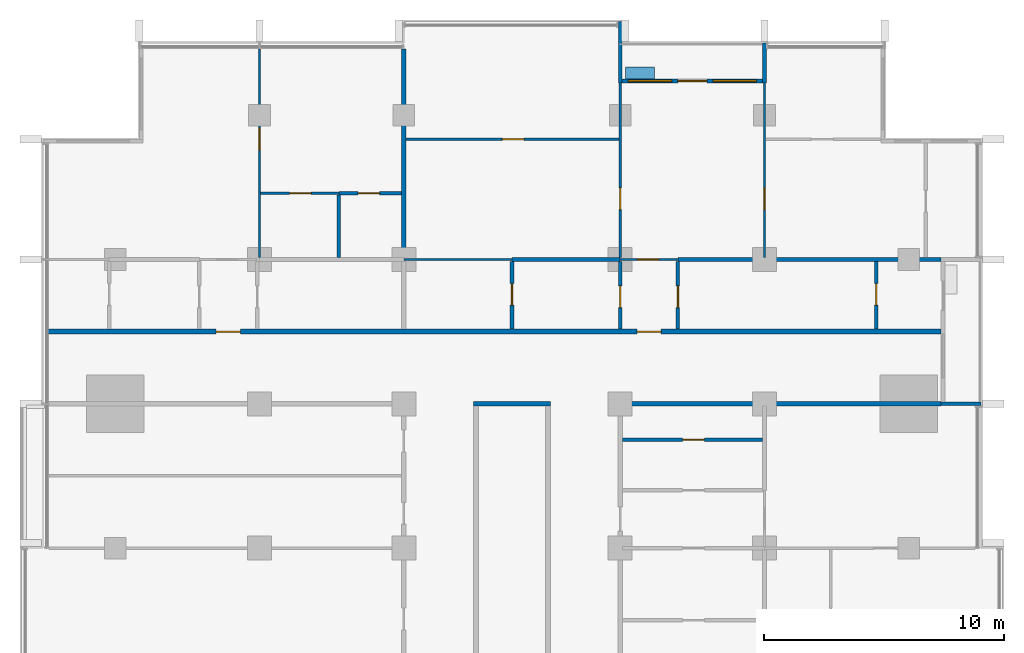
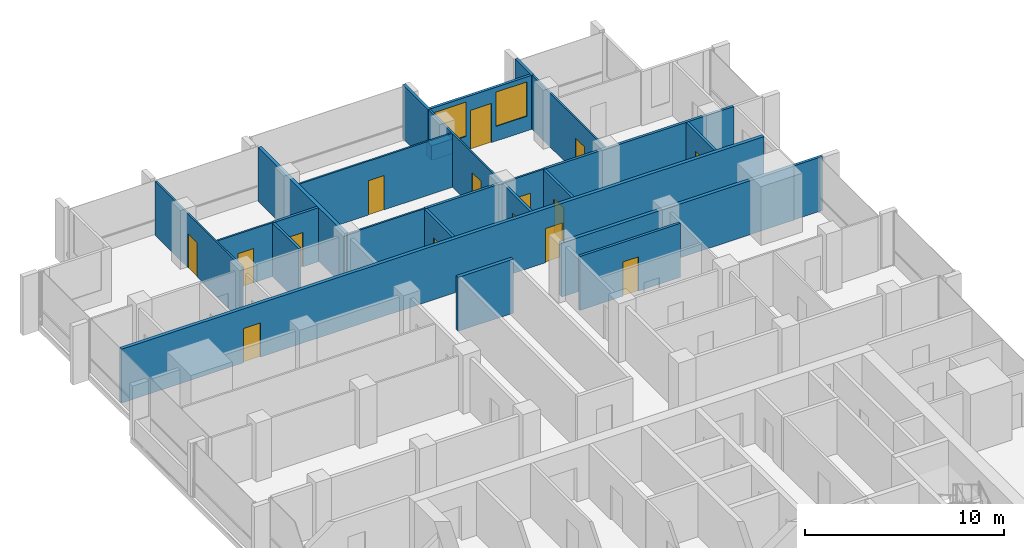
# One storey, part 10 of 16: 25 walls, 15 doors, 2 windows, 17 openings.
"""IFC4 building model written with IfcOpenShell, lengths in metres."""

from ifc_helpers import new_model, si_unit, direction, frame, frame_2d, origin, place, context, subcontext, project, spatial, rectangle, extrude, material, layer, layer_set, type_object, element, fill, save


model = new_model("IFC4")

# Units and contexts
model_context = context("Model", 3, precision=1e-05, world=origin(), true_north=direction((0.0, 1.0)))
body_context = subcontext(model_context, "Body", "Model", "MODEL_VIEW")
ifc_project = project(units=[si_unit("LENGTHUNIT", "METRE"), si_unit("AREAUNIT", "SQUARE_METRE"), si_unit("VOLUMEUNIT", "CUBIC_METRE"), si_unit("PLANEANGLEUNIT", "RADIAN"), si_unit("MASSUNIT", "GRAM", prefix="KILO")], contexts=[model_context])

# Site, building, storey
site_placement = place(None, origin())
site = spatial("IfcSite", under=ifc_project, at=site_placement, CompositionType="ELEMENT")
building_placement = place(site_placement, origin())
building = spatial("IfcBuilding", under=site, at=building_placement, Name="Finial Court Residences", CompositionType="ELEMENT")
storey_placement = place(building_placement, frame((0.0, 0.0, 156.5)))
storey = spatial("IfcBuildingStorey", under=building, at=storey_placement, Name="L38", CompositionType="ELEMENT", Elevation=156.5)

# Walls
ifc_material_1 = material(Name="Gypsum board")
ifc_layer_1 = layer(ifc_material_1, 0.02490234375)
ifc_material_2 = material(Name="Acoustic mineral wool in double frame")
ifc_layer_2 = layer(ifc_material_2, 0.14990234375)
ifc_layer_3 = layer(ifc_material_1, 0.02490234375)
ifc_layer_set_1 = layer_set([ifc_layer_1, ifc_layer_2, ifc_layer_3], Name="Acoustic party wall 200, 1 hour")
wall_type_1 = type_object("IfcWallType", Name="Acoustic party wall 200, 1 hour", PredefinedType="PARTITIONING", material=ifc_layer_set_1)
wall_1_placement = place(storey_placement, frame((-4.5, 13.574951171875, 0.0), z_axis=(0.0, 0.0, 1.0), x_axis=(0.0, 1.0, 0.0)))
element("IfcWall", 1, at=wall_1_placement, inside=storey, type_object=wall_type_1, Name="Partition L38-040", PredefinedType="PARTITIONING", context=body_context, shape_type="SweptSolid", body=[
    extrude(rectangle(XDim=8.6875, YDim=0.199951171875, at=frame_2d((4.34375, 0.0))), origin(), (0.0, 0.0, 1.0), 3.300048828125),
])
ifc_layer_4 = layer(ifc_material_1, 0.02490234375)
ifc_layer_5 = layer(ifc_material_2, 0.14990234375)
ifc_layer_6 = layer(ifc_material_1, 0.02490234375)
ifc_layer_set_2 = layer_set([ifc_layer_4, ifc_layer_5, ifc_layer_6], Name="Corridor wall 200, 1 hour")
wall_type_2 = type_object("IfcWallType", Name="Corridor wall 200, 1 hour", PredefinedType="PARTITIONING", material=ifc_layer_set_2)
wall_2_placement = place(storey_placement, frame((-1.60009765625, 7.5, 0.0), z_axis=(0.0, 0.0, 1.0), x_axis=(1.0, 0.0, 0.0)))
element("IfcWall", 2, at=wall_2_placement, inside=storey, type_object=wall_type_2, Name="Partition L38-017", PredefinedType="PARTITIONING", context=body_context, shape_type="SweptSolid", body=[
    extrude(rectangle(XDim=3.2001953125, YDim=0.199951171875, at=frame_2d((1.60009765625, 0.0))), origin(), (0.0, 0.0, 1.0), 3.300048828125),
])
wall_3_placement = place(storey_placement, frame((4.39990234375, 7.5, 0.0), z_axis=(0.0, 0.0, 1.0), x_axis=(1.0, 0.0, 0.0)))
element("IfcWall", 3, at=wall_3_placement, inside=storey, type_object=wall_type_2, Name="Partition L38-018", PredefinedType="PARTITIONING", context=body_context, shape_type="SweptSolid", body=[
    extrude(rectangle(XDim=13.4501953125, YDim=0.199951171875, at=frame_2d((6.72509765625, 0.0))), origin(), (0.0, 0.0, 1.0), 3.300048828125),
])

# Wall, openings, doors
wall_4_placement = place(storey_placement, frame((-19.35009765625, 10.5, 0.0), z_axis=(0.0, 0.0, 1.0), x_axis=(1.0, 0.0, 0.0)))
wall_4 = element("IfcWall", 4, at=wall_4_placement, inside=storey, type_object=wall_type_2, Name="Partition L38-019", PredefinedType="PARTITIONING", context=body_context, shape_type="SweptSolid", body=[
    extrude(rectangle(XDim=37.2001953125, YDim=0.199951171875, at=frame_2d((18.60009765625, 0.0))), origin(), (0.0, 0.0, 1.0), 3.300048828125),
])
opening_1_placement = place(wall_4_placement, frame((7.050048828125, 0.0, 0.0)))
opening_1 = element("IfcOpeningElement", 5, at=opening_1_placement, cuts=wall_4, Name="Opening L38-D015", PredefinedType="OPENING", context=body_context, shape_type="SweptSolid", body=[
    extrude(rectangle(XDim=1.0, YDim=2.10009765625, at=frame_2d((0.5, 1.050048828125))), frame((0.0, 0.10986328125, 0.0), z_axis=(0.0, -1.0, 0.0), x_axis=(1.0, 0.0, 0.0)), (0.0, 0.0, 1.0), 0.219970703125),
])
opening_2_placement = place(wall_4_placement, frame((24.550048828125, 0.0, 0.0)))
opening_2 = element("IfcOpeningElement", 6, at=opening_2_placement, cuts=wall_4, Name="Opening L38-D016", PredefinedType="OPENING", context=body_context, shape_type="SweptSolid", body=[
    extrude(rectangle(XDim=1.0, YDim=2.10009765625, at=frame_2d((0.5, 1.050048828125))), frame((0.0, 0.10986328125, 0.0), z_axis=(0.0, -1.0, 0.0), x_axis=(1.0, 0.0, 0.0)), (0.0, 0.0, 1.0), 0.219970703125),
])
ifc_material_3 = material(Name="Timber door leaf in hollow metal frame", Category="wood")
door_type_1 = type_object("IfcDoorType", Name="Fire door set 1000 x 2100, 30 minutes", OperationType="SINGLE_SWING_LEFT", PredefinedType="DOOR", material=ifc_material_3)
door_1_placement = place(opening_1_placement, origin())
door_1 = element("IfcDoor", 7, at=door_1_placement, inside=storey, type_object=door_type_1, Name="Door L38-D015", OperationType="SINGLE_SWING_RIGHT", OverallHeight=2.10009765625, OverallWidth=1.0, PredefinedType="DOOR", context=body_context, shape_type="SweptSolid", body=[
    extrude(rectangle(XDim=1.0, YDim=2.10009765625, at=frame_2d((0.5, 1.050048828125))), frame((0.0, 0.02490234375, 0.0), z_axis=(0.0, -1.0, 0.0), x_axis=(1.0, 0.0, 0.0)), (0.0, 0.0, 1.0), 0.050048828125),
])
fill(opening_1, door_1)
door_2_placement = place(opening_2_placement, origin())
door_2 = element("IfcDoor", 8, at=door_2_placement, inside=storey, type_object=door_type_1, Name="Door L38-D016", OperationType="SINGLE_SWING_LEFT", OverallHeight=2.10009765625, OverallWidth=1.0, PredefinedType="DOOR", context=body_context, shape_type="SweptSolid", body=[
    extrude(rectangle(XDim=1.0, YDim=2.10009765625, at=frame_2d((0.5, 1.050048828125))), frame((0.0, 0.02490234375, 0.0), z_axis=(0.0, -1.0, 0.0), x_axis=(1.0, 0.0, 0.0)), (0.0, 0.0, 1.0), 0.050048828125),
])
fill(opening_2, door_2)

# Wall
ifc_layer_7 = layer(ifc_material_1, 0.012451171875)
ifc_material_4 = material(Name="Mineral wool in light-gauge frame")
ifc_layer_8 = layer(ifc_material_4, 0.074951171875)
ifc_layer_9 = layer(ifc_material_1, 0.012451171875)
ifc_layer_set_3 = layer_set([ifc_layer_7, ifc_layer_8, ifc_layer_9], Name="Gypsum board partition 100")
wall_type_3 = type_object("IfcWallType", Name="Gypsum board partition 100", PredefinedType="PARTITIONING", material=ifc_layer_set_3)
wall_5_placement = place(storey_placement, frame((-4.5, 13.5, 0.0), z_axis=(0.0, 0.0, 1.0), x_axis=(1.0, 0.0, 0.0)))
element("IfcWall", 9, at=wall_5_placement, inside=storey, type_object=wall_type_3, Name="Partition L38-022", PredefinedType="PARTITIONING", context=body_context, shape_type="SweptSolid", body=[
    extrude(rectangle(XDim=4.5, YDim=0.10009765625, at=frame_2d((2.25, 0.0))), origin(), (0.0, 0.0, 1.0), 3.300048828125),
])

# Wall, opening, door
wall_6_placement = place(storey_placement, frame((4.5, 13.5, 0.0), z_axis=(0.0, 0.0, 1.0), x_axis=(1.0, 0.0, 0.0)))
wall_6 = element("IfcWall", 10, at=wall_6_placement, inside=storey, type_object=wall_type_3, Name="Partition L38-023", PredefinedType="PARTITIONING", context=body_context, shape_type="SweptSolid", body=[
    extrude(rectangle(XDim=2.39990234375, YDim=0.10009765625, at=frame_2d((1.199951171875, 0.0))), origin(), (0.0, 0.0, 1.0), 3.300048828125),
])
opening_3_placement = place(wall_6_placement, frame((0.699951171875, 0.0, 0.0)))
opening_3 = element("IfcOpeningElement", 11, at=opening_3_placement, cuts=wall_6, Name="Opening L38-D018", PredefinedType="OPENING", context=body_context, shape_type="SweptSolid", body=[
    extrude(rectangle(XDim=0.89990234375, YDim=2.10009765625, at=frame_2d((0.449951171875, 1.050048828125))), frame((0.0, 0.06005859375, 0.0), z_axis=(0.0, -1.0, 0.0), x_axis=(1.0, 0.0, 0.0)), (0.0, 0.0, 1.0), 0.1201171875),
])
ifc_material_5 = material(Name="Timber door leaf in timber frame", Category="wood")
door_type_2 = type_object("IfcDoorType", Name="Door set 900 x 2100", OperationType="SINGLE_SWING_LEFT", PredefinedType="DOOR", material=ifc_material_5)
door_3_placement = place(opening_3_placement, origin())
door_3 = element("IfcDoor", 12, at=door_3_placement, inside=storey, type_object=door_type_2, Name="Door L38-D018", OperationType="SINGLE_SWING_LEFT", OverallHeight=2.10009765625, OverallWidth=0.89990234375, PredefinedType="DOOR", context=body_context, shape_type="SweptSolid", body=[
    extrude(rectangle(XDim=0.89990234375, YDim=2.10009765625, at=frame_2d((0.449951171875, 1.050048828125))), frame((0.0, 0.02490234375, 0.0), z_axis=(0.0, -1.0, 0.0), x_axis=(1.0, 0.0, 0.0)), (0.0, 0.0, 1.0), 0.050048828125),
])
fill(opening_3, door_3)

wall_7_placement = place(storey_placement, frame((-10.449951171875, 16.25, 0.0), z_axis=(0.0, 0.0, 1.0), x_axis=(1.0, 0.0, 0.0)))
wall_7 = element("IfcWall", 13, at=wall_7_placement, inside=storey, type_object=wall_type_3, Name="Partition L38-028", PredefinedType="PARTITIONING", context=body_context, shape_type="SweptSolid", body=[
    extrude(rectangle(XDim=3.25, YDim=0.10009765625, at=frame_2d((1.625, 0.0))), origin(), (0.0, 0.0, 1.0), 3.300048828125),
])
opening_4_placement = place(wall_7_placement, frame((1.199951171875, 0.0, 0.0)))
opening_4 = element("IfcOpeningElement", 14, at=opening_4_placement, cuts=wall_7, Name="Opening L38-D019", PredefinedType="OPENING", context=body_context, shape_type="SweptSolid", body=[
    extrude(rectangle(XDim=0.89990234375, YDim=2.10009765625, at=frame_2d((0.449951171875, 1.050048828125))), frame((0.0, 0.06005859375, 0.0), z_axis=(0.0, -1.0, 0.0), x_axis=(1.0, 0.0, 0.0)), (0.0, 0.0, 1.0), 0.1201171875),
])
door_4_placement = place(opening_4_placement, origin())
door_4 = element("IfcDoor", 15, at=door_4_placement, inside=storey, type_object=door_type_2, Name="Door L38-D019", OperationType="SINGLE_SWING_RIGHT", OverallHeight=2.10009765625, OverallWidth=0.89990234375, PredefinedType="DOOR", context=body_context, shape_type="SweptSolid", body=[
    extrude(rectangle(XDim=0.89990234375, YDim=2.10009765625, at=frame_2d((0.449951171875, 1.050048828125))), frame((0.0, 0.02490234375, 0.0), z_axis=(0.0, -1.0, 0.0), x_axis=(1.0, 0.0, 0.0)), (0.0, 0.0, 1.0), 0.050048828125),
])
fill(opening_4, door_4)

wall_8_placement = place(storey_placement, frame((-4.39990234375, 18.5, 0.0), z_axis=(0.0, 0.0, 1.0), x_axis=(1.0, 0.0, 0.0)))
wall_8 = element("IfcWall", 16, at=wall_8_placement, inside=storey, type_object=wall_type_3, Name="Partition L38-030", PredefinedType="PARTITIONING", context=body_context, shape_type="SweptSolid", body=[
    extrude(rectangle(XDim=8.849853515625, YDim=0.10009765625, at=frame_2d((4.4248046875, 0.0))), origin(), (0.0, 0.0, 1.0), 3.300048828125),
])
opening_5_placement = place(wall_8_placement, frame((4.0, 0.0, 0.0)))
opening_5 = element("IfcOpeningElement", 17, at=opening_5_placement, cuts=wall_8, Name="Opening L38-D021", PredefinedType="OPENING", context=body_context, shape_type="SweptSolid", body=[
    extrude(rectangle(XDim=0.89990234375, YDim=2.10009765625, at=frame_2d((0.449951171875, 1.050048828125))), frame((0.0, 0.06005859375, 0.0), z_axis=(0.0, -1.0, 0.0), x_axis=(1.0, 0.0, 0.0)), (0.0, 0.0, 1.0), 0.1201171875),
])
door_5_placement = place(opening_5_placement, origin())
door_5 = element("IfcDoor", 18, at=door_5_placement, inside=storey, type_object=door_type_2, Name="Door L38-D021", OperationType="SINGLE_SWING_RIGHT", OverallHeight=2.10009765625, OverallWidth=0.89990234375, PredefinedType="DOOR", context=body_context, shape_type="SweptSolid", body=[
    extrude(rectangle(XDim=0.89990234375, YDim=2.10009765625, at=frame_2d((0.449951171875, 1.050048828125))), frame((0.0, 0.02490234375, 0.0), z_axis=(0.0, -1.0, 0.0), x_axis=(1.0, 0.0, 0.0)), (0.0, 0.0, 1.0), 0.050048828125),
])
fill(opening_5, door_5)

wall_9_placement = place(storey_placement, frame((-10.5, 13.574951171875, 0.0), z_axis=(0.0, 0.0, 1.0), x_axis=(0.0, 1.0, 0.0)))
wall_9 = element("IfcWall", 19, at=wall_9_placement, inside=storey, type_object=wall_type_3, Name="Partition L38-036", PredefinedType="PARTITIONING", context=body_context, shape_type="SweptSolid", body=[
    extrude(rectangle(XDim=8.6875, YDim=0.10009765625, at=frame_2d((4.34375, 0.0))), origin(), (0.0, 0.0, 1.0), 3.300048828125),
])
opening_6_placement = place(wall_9_placement, frame((4.47509765625, 0.0, 0.0)))
opening_6 = element("IfcOpeningElement", 20, at=opening_6_placement, cuts=wall_9, Name="Opening L38-D026", PredefinedType="OPENING", context=body_context, shape_type="SweptSolid", body=[
    extrude(rectangle(XDim=0.89990234375, YDim=2.10009765625, at=frame_2d((0.449951171875, 1.050048828125))), frame((0.0, 0.06005859375, 0.0), z_axis=(0.0, -1.0, 0.0), x_axis=(1.0, 0.0, 0.0)), (0.0, 0.0, 1.0), 0.1201171875),
])
door_6_placement = place(opening_6_placement, origin())
door_6 = element("IfcDoor", 21, at=door_6_placement, inside=storey, type_object=door_type_2, Name="Door L38-D026", OperationType="SINGLE_SWING_RIGHT", OverallHeight=2.10009765625, OverallWidth=0.89990234375, PredefinedType="DOOR", context=body_context, shape_type="SweptSolid", body=[
    extrude(rectangle(XDim=0.89990234375, YDim=2.10009765625, at=frame_2d((0.449951171875, 1.050048828125))), frame((0.0, 0.02490234375, 0.0), z_axis=(0.0, -1.0, 0.0), x_axis=(1.0, 0.0, 0.0)), (0.0, 0.0, 1.0), 0.050048828125),
])
fill(opening_6, door_6)

wall_10_placement = place(storey_placement, frame((4.5, 13.574951171875, 0.0), z_axis=(0.0, 0.0, 1.0), x_axis=(0.0, 1.0, 0.0)))
wall_10 = element("IfcWall", 22, at=wall_10_placement, inside=storey, type_object=wall_type_3, Name="Partition L38-045", PredefinedType="PARTITIONING", context=body_context, shape_type="SweptSolid", body=[
    extrude(rectangle(XDim=7.275146484375, YDim=0.10009765625, at=frame_2d((3.6376953125, 0.0))), origin(), (0.0, 0.0, 1.0), 3.300048828125),
])
opening_7_placement = place(wall_10_placement, frame((2.0, 0.0, 0.0)))
opening_7 = element("IfcOpeningElement", 23, at=opening_7_placement, cuts=wall_10, Name="Opening L38-D032", PredefinedType="OPENING", context=body_context, shape_type="SweptSolid", body=[
    extrude(rectangle(XDim=0.89990234375, YDim=2.10009765625, at=frame_2d((0.449951171875, 1.050048828125))), frame((0.0, 0.06005859375, 0.0), z_axis=(0.0, -1.0, 0.0), x_axis=(1.0, 0.0, 0.0)), (0.0, 0.0, 1.0), 0.1201171875),
])
door_7_placement = place(opening_7_placement, origin())
door_7 = element("IfcDoor", 24, at=door_7_placement, inside=storey, type_object=door_type_2, Name="Door L38-D032", OperationType="SINGLE_SWING_RIGHT", OverallHeight=2.10009765625, OverallWidth=0.89990234375, PredefinedType="DOOR", context=body_context, shape_type="SweptSolid", body=[
    extrude(rectangle(XDim=0.89990234375, YDim=2.10009765625, at=frame_2d((0.449951171875, 1.050048828125))), frame((0.0, 0.02490234375, 0.0), z_axis=(0.0, -1.0, 0.0), x_axis=(1.0, 0.0, 0.0)), (0.0, 0.0, 1.0), 0.050048828125),
])
fill(opening_7, door_7)

wall_11_placement = place(storey_placement, frame((10.5, 13.574951171875, 0.0), z_axis=(0.0, 0.0, 1.0), x_axis=(0.0, 1.0, 0.0)))
wall_11 = element("IfcWall", 25, at=wall_11_placement, inside=storey, type_object=wall_type_3, Name="Partition L38-050", PredefinedType="PARTITIONING", context=body_context, shape_type="SweptSolid", body=[
    extrude(rectangle(XDim=7.275146484375, YDim=0.10009765625, at=frame_2d((3.6376953125, 0.0))), origin(), (0.0, 0.0, 1.0), 3.300048828125),
])
opening_8_placement = place(wall_11_placement, frame((2.0, 0.0, 0.0)))
opening_8 = element("IfcOpeningElement", 26, at=opening_8_placement, cuts=wall_11, Name="Opening L38-D036", PredefinedType="OPENING", context=body_context, shape_type="SweptSolid", body=[
    extrude(rectangle(XDim=0.89990234375, YDim=2.10009765625, at=frame_2d((0.449951171875, 1.050048828125))), frame((0.0, 0.06005859375, 0.0), z_axis=(0.0, -1.0, 0.0), x_axis=(1.0, 0.0, 0.0)), (0.0, 0.0, 1.0), 0.1201171875),
])
door_8_placement = place(opening_8_placement, origin())
door_8 = element("IfcDoor", 27, at=door_8_placement, inside=storey, type_object=door_type_2, Name="Door L38-D036", OperationType="SINGLE_SWING_LEFT", OverallHeight=2.10009765625, OverallWidth=0.89990234375, PredefinedType="DOOR", context=body_context, shape_type="SweptSolid", body=[
    extrude(rectangle(XDim=0.89990234375, YDim=2.10009765625, at=frame_2d((0.449951171875, 1.050048828125))), frame((0.0, 0.02490234375, 0.0), z_axis=(0.0, -1.0, 0.0), x_axis=(1.0, 0.0, 0.0)), (0.0, 0.0, 1.0), 0.050048828125),
])
fill(opening_8, door_8)

ifc_material_6 = material(Name="Moisture-resistant gypsum board")
ifc_layer_10 = layer(ifc_material_6, 0.012451171875)
ifc_layer_11 = layer(ifc_material_4, 0.125)
ifc_layer_12 = layer(ifc_material_6, 0.012451171875)
ifc_layer_set_4 = layer_set([ifc_layer_10, ifc_layer_11, ifc_layer_12], Name="Gypsum board wet-area partition 150")
wall_type_4 = type_object("IfcWallType", Name="Gypsum board wet-area partition 150", PredefinedType="PARTITIONING", material=ifc_layer_set_4)
wall_12_placement = place(storey_placement, frame((4.60009765625, 6.0, 0.0), z_axis=(0.0, 0.0, 1.0), x_axis=(1.0, 0.0, 0.0)))
wall_12 = element("IfcWall", 28, at=wall_12_placement, inside=storey, type_object=wall_type_4, Name="Partition L38-015", PredefinedType="PARTITIONING", context=body_context, shape_type="SweptSolid", body=[
    extrude(rectangle(XDim=5.824951171875, YDim=0.14990234375, at=frame_2d((2.91259765625, 0.0))), origin(), (0.0, 0.0, 1.0), 3.300048828125),
])
opening_9_placement = place(wall_12_placement, frame((2.5, 0.0, 0.0)))
opening_9 = element("IfcOpeningElement", 29, at=opening_9_placement, cuts=wall_12, Name="Opening L38-D014", PredefinedType="OPENING", context=body_context, shape_type="SweptSolid", body=[
    extrude(rectangle(XDim=0.89990234375, YDim=2.10009765625, at=frame_2d((0.449951171875, 1.050048828125))), frame((0.0, 0.0849609375, 0.0), z_axis=(0.0, -1.0, 0.0), x_axis=(1.0, 0.0, 0.0)), (0.0, 0.0, 1.0), 0.169921875),
])
door_9_placement = place(opening_9_placement, origin())
door_9 = element("IfcDoor", 30, at=door_9_placement, inside=storey, type_object=door_type_2, Name="Door L38-D014", OperationType="SINGLE_SWING_RIGHT", OverallHeight=2.10009765625, OverallWidth=0.89990234375, PredefinedType="DOOR", context=body_context, shape_type="SweptSolid", body=[
    extrude(rectangle(XDim=0.89990234375, YDim=2.10009765625, at=frame_2d((0.449951171875, 1.050048828125))), frame((0.0, 0.02490234375, 0.0), z_axis=(0.0, -1.0, 0.0), x_axis=(1.0, 0.0, 0.0)), (0.0, 0.0, 1.0), 0.050048828125),
])
fill(opening_9, door_9)

# Walls
wall_13_placement = place(storey_placement, frame((0.0, 13.5, 0.0), z_axis=(0.0, 0.0, 1.0), x_axis=(1.0, 0.0, 0.0)))
element("IfcWall", 31, at=wall_13_placement, inside=storey, type_object=wall_type_4, Name="Partition L38-026", PredefinedType="PARTITIONING", context=body_context, shape_type="SweptSolid", body=[
    extrude(rectangle(XDim=4.5, YDim=0.14990234375, at=frame_2d((2.25, 0.0))), origin(), (0.0, 0.0, 1.0), 3.300048828125),
])
wall_14_placement = place(storey_placement, frame((6.89990234375, 13.5, 0.0), z_axis=(0.0, 0.0, 1.0), x_axis=(1.0, 0.0, 0.0)))
element("IfcWall", 32, at=wall_14_placement, inside=storey, type_object=wall_type_4, Name="Partition L38-027", PredefinedType="PARTITIONING", context=body_context, shape_type="SweptSolid", body=[
    extrude(rectangle(XDim=10.9501953125, YDim=0.14990234375, at=frame_2d((5.47509765625, 0.0))), origin(), (0.0, 0.0, 1.0), 3.300048828125),
])

# Wall, opening, door
wall_15_placement = place(storey_placement, frame((-7.199951171875, 16.25, 0.0), z_axis=(0.0, 0.0, 1.0), x_axis=(1.0, 0.0, 0.0)))
wall_15 = element("IfcWall", 33, at=wall_15_placement, inside=storey, type_object=wall_type_4, Name="Partition L38-029", PredefinedType="PARTITIONING", context=body_context, shape_type="SweptSolid", body=[
    extrude(rectangle(XDim=2.599853515625, YDim=0.14990234375, at=frame_2d((1.2998046875, 0.0))), origin(), (0.0, 0.0, 1.0), 3.300048828125),
])
opening_10_placement = place(wall_15_placement, frame((0.800048828125, 0.0, 0.0)))
opening_10 = element("IfcOpeningElement", 34, at=opening_10_placement, cuts=wall_15, Name="Opening L38-D020", PredefinedType="OPENING", context=body_context, shape_type="SweptSolid", body=[
    extrude(rectangle(XDim=0.89990234375, YDim=2.10009765625, at=frame_2d((0.449951171875, 1.050048828125))), frame((0.0, 0.0849609375, 0.0), z_axis=(0.0, -1.0, 0.0), x_axis=(1.0, 0.0, 0.0)), (0.0, 0.0, 1.0), 0.169921875),
])
door_10_placement = place(opening_10_placement, origin())
door_10 = element("IfcDoor", 35, at=door_10_placement, inside=storey, type_object=door_type_2, Name="Door L38-D020", OperationType="SINGLE_SWING_RIGHT", OverallHeight=2.10009765625, OverallWidth=0.89990234375, PredefinedType="DOOR", context=body_context, shape_type="SweptSolid", body=[
    extrude(rectangle(XDim=0.89990234375, YDim=2.10009765625, at=frame_2d((0.449951171875, 1.050048828125))), frame((0.0, 0.02490234375, 0.0), z_axis=(0.0, -1.0, 0.0), x_axis=(1.0, 0.0, 0.0)), (0.0, 0.0, 1.0), 0.050048828125),
])
fill(opening_10, door_10)

# Wall
wall_16_placement = place(storey_placement, frame((-7.199951171875, 13.574951171875, 0.0), z_axis=(0.0, 0.0, 1.0), x_axis=(0.0, 1.0, 0.0)))
element("IfcWall", 36, at=wall_16_placement, inside=storey, type_object=wall_type_4, Name="Partition L38-037", PredefinedType="PARTITIONING", context=body_context, shape_type="SweptSolid", body=[
    extrude(rectangle(XDim=2.60009765625, YDim=0.14990234375, at=frame_2d((1.300048828125, 0.0))), origin(), (0.0, 0.0, 1.0), 3.300048828125),
])

# Wall, opening, door
wall_17_placement = place(storey_placement, frame((0.0, 10.60009765625, 0.0), z_axis=(0.0, 0.0, 1.0), x_axis=(0.0, 1.0, 0.0)))
wall_17 = element("IfcWall", 37, at=wall_17_placement, inside=storey, type_object=wall_type_4, Name="Partition L38-042", PredefinedType="PARTITIONING", context=body_context, shape_type="SweptSolid", body=[
    extrude(rectangle(XDim=2.824951171875, YDim=0.14990234375, at=frame_2d((1.41259765625, 0.0))), origin(), (0.0, 0.0, 1.0), 3.300048828125),
])
opening_11_placement = place(wall_17_placement, frame((1.0, 0.0, 0.0)))
opening_11 = element("IfcOpeningElement", 38, at=opening_11_placement, cuts=wall_17, Name="Opening L38-D030", PredefinedType="OPENING", context=body_context, shape_type="SweptSolid", body=[
    extrude(rectangle(XDim=0.89990234375, YDim=2.10009765625, at=frame_2d((0.449951171875, 1.050048828125))), frame((0.0, 0.0849609375, 0.0), z_axis=(0.0, -1.0, 0.0), x_axis=(1.0, 0.0, 0.0)), (0.0, 0.0, 1.0), 0.169921875),
])
door_11_placement = place(opening_11_placement, origin())
door_11 = element("IfcDoor", 39, at=door_11_placement, inside=storey, type_object=door_type_2, Name="Door L38-D030", OperationType="SINGLE_SWING_RIGHT", OverallHeight=2.10009765625, OverallWidth=0.89990234375, PredefinedType="DOOR", context=body_context, shape_type="SweptSolid", body=[
    extrude(rectangle(XDim=0.89990234375, YDim=2.10009765625, at=frame_2d((0.449951171875, 1.050048828125))), frame((0.0, 0.02490234375, 0.0), z_axis=(0.0, -1.0, 0.0), x_axis=(1.0, 0.0, 0.0)), (0.0, 0.0, 1.0), 0.050048828125),
])
fill(opening_11, door_11)

wall_18_placement = place(storey_placement, frame((4.5, 10.60009765625, 0.0), z_axis=(0.0, 0.0, 1.0), x_axis=(0.0, 1.0, 0.0)))
wall_18 = element("IfcWall", 40, at=wall_18_placement, inside=storey, type_object=wall_type_4, Name="Partition L38-046", PredefinedType="PARTITIONING", context=body_context, shape_type="SweptSolid", body=[
    extrude(rectangle(XDim=2.824951171875, YDim=0.14990234375, at=frame_2d((1.41259765625, 0.0))), origin(), (0.0, 0.0, 1.0), 3.300048828125),
])
opening_12_placement = place(wall_18_placement, frame((0.89990234375, 0.0, 0.0)))
opening_12 = element("IfcOpeningElement", 41, at=opening_12_placement, cuts=wall_18, Name="Opening L38-D033", PredefinedType="OPENING", context=body_context, shape_type="SweptSolid", body=[
    extrude(rectangle(XDim=0.89990234375, YDim=2.10009765625, at=frame_2d((0.449951171875, 1.050048828125))), frame((0.0, 0.0849609375, 0.0), z_axis=(0.0, -1.0, 0.0), x_axis=(1.0, 0.0, 0.0)), (0.0, 0.0, 1.0), 0.169921875),
])
door_12_placement = place(opening_12_placement, origin())
door_12 = element("IfcDoor", 42, at=door_12_placement, inside=storey, type_object=door_type_2, Name="Door L38-D033", OperationType="SINGLE_SWING_RIGHT", OverallHeight=2.10009765625, OverallWidth=0.89990234375, PredefinedType="DOOR", context=body_context, shape_type="SweptSolid", body=[
    extrude(rectangle(XDim=0.89990234375, YDim=2.10009765625, at=frame_2d((0.449951171875, 1.050048828125))), frame((0.0, 0.02490234375, 0.0), z_axis=(0.0, -1.0, 0.0), x_axis=(1.0, 0.0, 0.0)), (0.0, 0.0, 1.0), 0.050048828125),
])
fill(opening_12, door_12)

wall_19_placement = place(storey_placement, frame((6.89990234375, 10.60009765625, 0.0), z_axis=(0.0, 0.0, 1.0), x_axis=(0.0, 1.0, 0.0)))
wall_19 = element("IfcWall", 43, at=wall_19_placement, inside=storey, type_object=wall_type_4, Name="Partition L38-047", PredefinedType="PARTITIONING", context=body_context, shape_type="SweptSolid", body=[
    extrude(rectangle(XDim=2.824951171875, YDim=0.14990234375, at=frame_2d((1.41259765625, 0.0))), origin(), (0.0, 0.0, 1.0), 3.300048828125),
])
opening_13_placement = place(wall_19_placement, frame((0.89990234375, 0.0, 0.0)))
opening_13 = element("IfcOpeningElement", 44, at=opening_13_placement, cuts=wall_19, Name="Opening L38-D034", PredefinedType="OPENING", context=body_context, shape_type="SweptSolid", body=[
    extrude(rectangle(XDim=0.89990234375, YDim=2.10009765625, at=frame_2d((0.449951171875, 1.050048828125))), frame((0.0, 0.0849609375, 0.0), z_axis=(0.0, -1.0, 0.0), x_axis=(1.0, 0.0, 0.0)), (0.0, 0.0, 1.0), 0.169921875),
])
door_13_placement = place(opening_13_placement, origin())
door_13 = element("IfcDoor", 45, at=door_13_placement, inside=storey, type_object=door_type_2, Name="Door L38-D034", OperationType="SINGLE_SWING_LEFT", OverallHeight=2.10009765625, OverallWidth=0.89990234375, PredefinedType="DOOR", context=body_context, shape_type="SweptSolid", body=[
    extrude(rectangle(XDim=0.89990234375, YDim=2.10009765625, at=frame_2d((0.449951171875, 1.050048828125))), frame((0.0, 0.02490234375, 0.0), z_axis=(0.0, -1.0, 0.0), x_axis=(1.0, 0.0, 0.0)), (0.0, 0.0, 1.0), 0.050048828125),
])
fill(opening_13, door_13)

wall_20_placement = place(storey_placement, frame((15.14990234375, 10.60009765625, 0.0), z_axis=(0.0, 0.0, 1.0), x_axis=(0.0, 1.0, 0.0)))
wall_20 = element("IfcWall", 46, at=wall_20_placement, inside=storey, type_object=wall_type_4, Name="Partition L38-054", PredefinedType="PARTITIONING", context=body_context, shape_type="SweptSolid", body=[
    extrude(rectangle(XDim=2.824951171875, YDim=0.14990234375, at=frame_2d((1.41259765625, 0.0))), origin(), (0.0, 0.0, 1.0), 3.300048828125),
])
opening_14_placement = place(wall_20_placement, frame((1.0, 0.0, 0.0)))
opening_14 = element("IfcOpeningElement", 47, at=opening_14_placement, cuts=wall_20, Name="Opening L38-D038", PredefinedType="OPENING", context=body_context, shape_type="SweptSolid", body=[
    extrude(rectangle(XDim=0.89990234375, YDim=2.10009765625, at=frame_2d((0.449951171875, 1.050048828125))), frame((0.0, 0.0849609375, 0.0), z_axis=(0.0, -1.0, 0.0), x_axis=(1.0, 0.0, 0.0)), (0.0, 0.0, 1.0), 0.169921875),
])
door_14_placement = place(opening_14_placement, origin())
door_14 = element("IfcDoor", 48, at=door_14_placement, inside=storey, type_object=door_type_2, Name="Door L38-D038", OperationType="SINGLE_SWING_LEFT", OverallHeight=2.10009765625, OverallWidth=0.89990234375, PredefinedType="DOOR", context=body_context, shape_type="SweptSolid", body=[
    extrude(rectangle(XDim=0.89990234375, YDim=2.10009765625, at=frame_2d((0.449951171875, 1.050048828125))), frame((0.0, 0.02490234375, 0.0), z_axis=(0.0, -1.0, 0.0), x_axis=(1.0, 0.0, 0.0)), (0.0, 0.0, 1.0), 0.050048828125),
])
fill(opening_14, door_14)

# Walls
ifc_material_7 = material(Name="Natural limestone", Category="masonry")
ifc_layer_13 = layer(ifc_material_7, 0.14990234375)
ifc_layer_set_5 = layer_set([ifc_layer_13], Name="Limestone clad wall 150")
wall_type_5 = type_object("IfcWallType", Name="Limestone clad wall 150", PredefinedType="SOLIDWALL", material=ifc_layer_set_5)
wall_21_placement = place(storey_placement, frame((4.5, 20.85009765625, 0.0), z_axis=(0.0, 0.0, 1.0), x_axis=(0.0, 1.0, 0.0)))
element("IfcWall", 49, at=wall_21_placement, inside=storey, type_object=wall_type_5, Name="E-L38-BALN4-P1", PredefinedType="SOLIDWALL", context=body_context, shape_type="SweptSolid", body=[
    extrude(rectangle(XDim=2.5498046875, YDim=0.14990234375, at=frame_2d((1.27490234375, 0.0))), origin(), (0.0, 0.0, 1.0), 3.300048828125),
])
wall_22_placement = place(storey_placement, frame((10.5, 20.85009765625, 0.0), z_axis=(0.0, 0.0, 1.0), x_axis=(0.0, 1.0, 0.0)))
element("IfcWall", 50, at=wall_22_placement, inside=storey, type_object=wall_type_5, Name="E-L38-BALN4-P2", PredefinedType="SOLIDWALL", context=body_context, shape_type="SweptSolid", body=[
    extrude(rectangle(XDim=1.64990234375, YDim=0.14990234375, at=frame_2d((0.824951171875, 0.0))), origin(), (0.0, 0.0, 1.0), 3.300048828125),
])

# Wall, openings, door, windows
wall_23_placement = place(storey_placement, frame((4.574951171875, 20.925048828125, 0.0), z_axis=(0.0, 0.0, 1.0), x_axis=(1.0, 0.0, 0.0)))
wall_23 = element("IfcWall", 51, at=wall_23_placement, inside=storey, type_object=wall_type_5, Name="E-L38-L38-BALN4-W", PredefinedType="SOLIDWALL", context=body_context, shape_type="SweptSolid", body=[
    extrude(rectangle(XDim=5.85009765625, YDim=0.14990234375, at=frame_2d((2.925048828125, 0.0))), origin(), (0.0, 0.0, 1.0), 3.300048828125),
])
opening_15_placement = place(wall_23_placement, frame((2.324951171875, 0.0, 0.0)))
opening_15 = element("IfcOpeningElement", 52, at=opening_15_placement, cuts=wall_23, Name="Opening DE38-01", PredefinedType="OPENING", context=body_context, shape_type="SweptSolid", body=[
    extrude(rectangle(XDim=1.199951171875, YDim=2.39990234375, at=frame_2d((0.60009765625, 1.199951171875))), frame((0.0, 0.0849609375, 0.0), z_axis=(0.0, -1.0, 0.0), x_axis=(1.0, 0.0, 0.0)), (0.0, 0.0, 1.0), 0.169921875),
])
opening_16_placement = place(wall_23_placement, frame((0.262451171875, 0.0, 0.89990234375)))
opening_16 = element("IfcOpeningElement", 53, at=opening_16_placement, cuts=wall_23, Name="Opening WE38-10", PredefinedType="OPENING", context=body_context, shape_type="SweptSolid", body=[
    extrude(rectangle(XDim=1.800048828125, YDim=2.10009765625, at=frame_2d((0.89990234375, 1.050048828125))), frame((0.0, 0.0849609375, 0.0), z_axis=(0.0, -1.0, 0.0), x_axis=(1.0, 0.0, 0.0)), (0.0, 0.0, 1.0), 0.169921875),
])
opening_17_placement = place(wall_23_placement, frame((3.78759765625, 0.0, 0.89990234375)))
opening_17 = element("IfcOpeningElement", 54, at=opening_17_placement, cuts=wall_23, Name="Opening WE38-11", PredefinedType="OPENING", context=body_context, shape_type="SweptSolid", body=[
    extrude(rectangle(XDim=1.800048828125, YDim=2.10009765625, at=frame_2d((0.89990234375, 1.050048828125))), frame((0.0, 0.0849609375, 0.0), z_axis=(0.0, -1.0, 0.0), x_axis=(1.0, 0.0, 0.0)), (0.0, 0.0, 1.0), 0.169921875),
])
ifc_material_8 = material(Name="Bronze anodised aluminium", Category="aluminium")
door_type_3 = type_object("IfcDoorType", Name="Balcony door 1200 x 2400", OperationType="SINGLE_SWING_LEFT", PredefinedType="DOOR", material=ifc_material_8)
door_15_placement = place(opening_15_placement, origin())
door_15 = element("IfcDoor", 55, at=door_15_placement, inside=storey, type_object=door_type_3, Name="E-L38-L38-BALN4-W-D", OperationType="SINGLE_SWING_LEFT", OverallHeight=2.39990234375, OverallWidth=1.199951171875, PredefinedType="DOOR", context=body_context, shape_type="SweptSolid", body=[
    extrude(rectangle(XDim=1.199951171875, YDim=2.39990234375, at=frame_2d((0.60009765625, 1.199951171875))), frame((0.0, 0.02490234375, 0.0), z_axis=(0.0, -1.0, 0.0), x_axis=(1.0, 0.0, 0.0)), (0.0, 0.0, 1.0), 0.050048828125),
])
fill(opening_15, door_15)
ifc_material_9 = material(Name="Clear low-e glass", Category="glass")
window_type = type_object("IfcWindowType", Name="Balcony window 1800 x 2100", PartitioningType="SINGLE_PANEL", PredefinedType="WINDOW", material=ifc_material_9)
window_1_placement = place(opening_16_placement, origin())
window_1 = element("IfcWindow", 56, at=window_1_placement, inside=storey, type_object=window_type, Name="E-L38-L38-BALN4-W-W1", OverallHeight=2.10009765625, OverallWidth=1.800048828125, PartitioningType="SINGLE_PANEL", PredefinedType="WINDOW", context=body_context, shape_type="SweptSolid", body=[
    extrude(rectangle(XDim=1.800048828125, YDim=2.10009765625, at=frame_2d((0.89990234375, 1.050048828125))), frame((0.0, 0.030029296875, 0.0), z_axis=(0.0, -1.0, 0.0), x_axis=(1.0, 0.0, 0.0)), (0.0, 0.0, 1.0), 0.06005859375),
])
fill(opening_16, window_1)
window_2_placement = place(opening_17_placement, origin())
window_2 = element("IfcWindow", 57, at=window_2_placement, inside=storey, type_object=window_type, Name="E-L38-L38-BALN4-W-W2", OverallHeight=2.10009765625, OverallWidth=1.800048828125, PartitioningType="SINGLE_PANEL", PredefinedType="WINDOW", context=body_context, shape_type="SweptSolid", body=[
    extrude(rectangle(XDim=1.800048828125, YDim=2.10009765625, at=frame_2d((0.89990234375, 1.050048828125))), frame((0.0, 0.030029296875, 0.0), z_axis=(0.0, -1.0, 0.0), x_axis=(1.0, 0.0, 0.0)), (0.0, 0.0, 1.0), 0.06005859375),
])
fill(opening_17, window_2)

# Walls
wall_24_placement = place(storey_placement, frame((17.85009765625, 7.5, 0.0), z_axis=(0.0, 0.0, 1.0), x_axis=(1.0, 0.0, 0.0)))
element("IfcWall", 58, at=wall_24_placement, inside=storey, type_object=wall_type_5, Name="E-L38-BALE5-P1", PredefinedType="SOLIDWALL", context=body_context, shape_type="SweptSolid", body=[
    extrude(rectangle(XDim=1.64990234375, YDim=0.14990234375, at=frame_2d((0.824951171875, 0.0))), origin(), (0.0, 0.0, 1.0), 3.300048828125),
])
ifc_material_10 = material(Name="Concrete C40/50", Category="concrete")
ifc_layer_14 = layer(ifc_material_10, 0.10009765625)
ifc_material_11 = material(Name="Planting soil", Category="soil")
ifc_layer_15 = layer(ifc_material_11, 0.300048828125)
ifc_layer_16 = layer(ifc_material_10, 0.10009765625)
ifc_layer_set_6 = layer_set([ifc_layer_14, ifc_layer_15, ifc_layer_16], Name="Planter wall, balcony")
wall_type_6 = type_object("IfcWallType", Name="Planter wall, balcony", PredefinedType="USERDEFINED", material=ifc_layer_set_6)
wall_25_placement = place(storey_placement, frame((4.72509765625, 21.25, 0.0), z_axis=(0.0, 0.0, 1.0), x_axis=(1.0, 0.0, 0.0)))
element("IfcWall", 59, at=wall_25_placement, inside=storey, type_object=wall_type_6, Name="E-L38-BALN4-PL", ObjectType="PLANTER", PredefinedType="USERDEFINED", context=body_context, shape_type="SweptSolid", body=[
    extrude(rectangle(XDim=1.199951171875, YDim=0.5, at=frame_2d((0.60009765625, 0.0))), origin(), (0.0, 0.0, 1.0), 0.89990234375),
])

save(model, "model.ifc")
